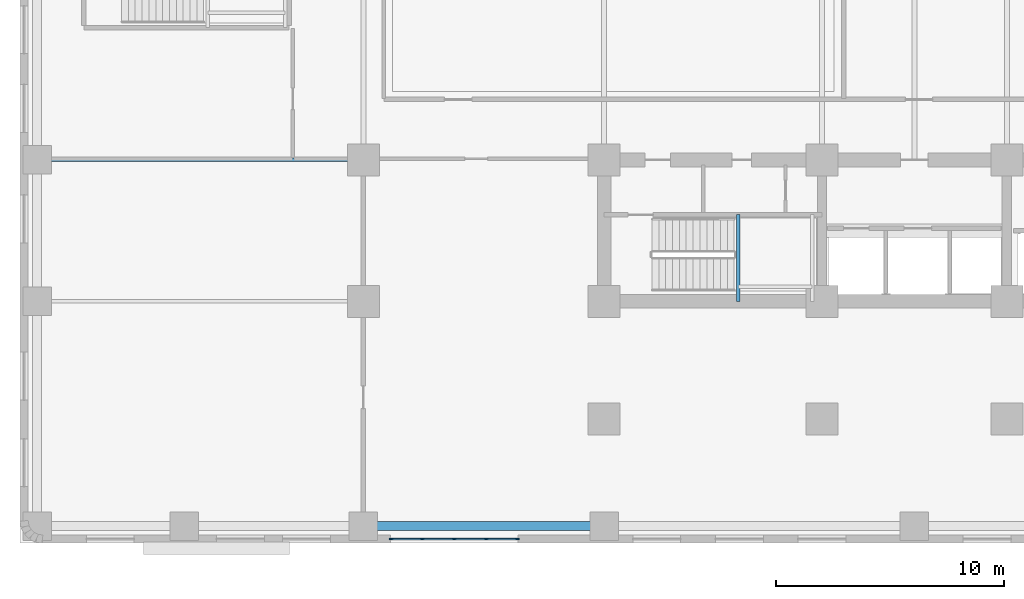
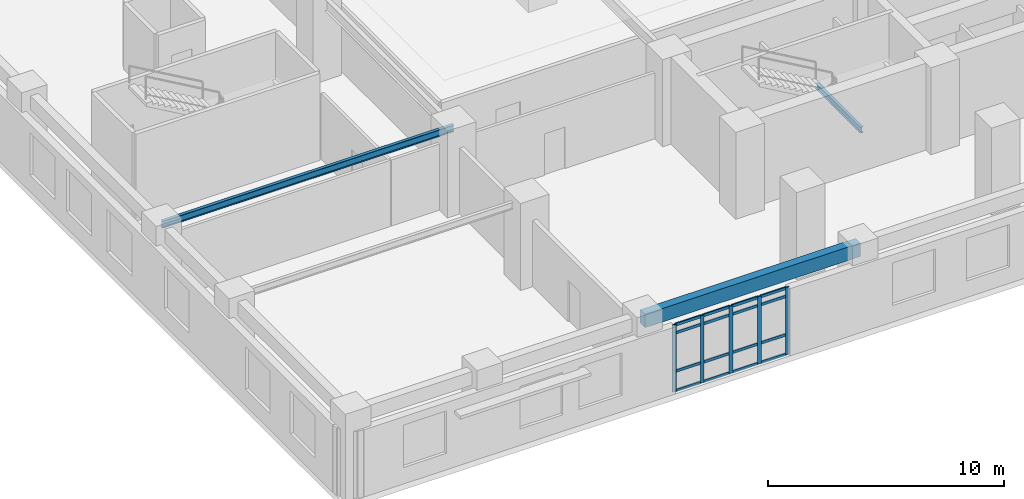
# One storey, part 2 of 15: 21 members, 3 beams, 1 element without a shape of its own.
"""IFC4 building model written with IfcOpenShell, lengths in metres."""

from ifc_helpers import new_model, si_unit, direction, frame, origin, origin_2d, place, context, subcontext, project, spatial, rectangle, i_section, extrude, material, material_profile, profile_set, type_object, element, aggregate, save


model = new_model("IFC4")

# Units and contexts
model_context = context("Model", 3, precision=1e-05, world=origin(), true_north=direction((0.0, 1.0)))
body_context = subcontext(model_context, "Body", "Model", "MODEL_VIEW")
ifc_project = project(units=[si_unit("LENGTHUNIT", "METRE"), si_unit("AREAUNIT", "SQUARE_METRE"), si_unit("VOLUMEUNIT", "CUBIC_METRE"), si_unit("PLANEANGLEUNIT", "RADIAN"), si_unit("MASSUNIT", "GRAM", prefix="KILO")], contexts=[model_context])

# Site, building, storey
site_placement = place(None, origin())
site = spatial("IfcSite", under=ifc_project, at=site_placement, CompositionType="ELEMENT")
building_placement = place(site_placement, origin())
building = spatial("IfcBuilding", under=site, at=building_placement, Name="Svetorya Sky Lyceum", CompositionType="ELEMENT")
storey_placement = place(building_placement, frame((0.0, 0.0, 6.60009765625)))
storey = spatial("IfcBuildingStorey", under=building, at=storey_placement, Name="L01", CompositionType="ELEMENT", Elevation=6.60009765625)

# Beams
ifc_material_1 = material(Name="Concrete C50/60", Category="concrete")
ifc_material_profile_1 = material_profile(ifc_material_1, rectangle(XDim=0.39990234375, YDim=0.699951171875, at=origin_2d()), Name="RC SPANDREL 400x700")
ifc_profile_set_1 = profile_set([ifc_material_profile_1], Name="Concrete C50/60")
beam_type_1 = type_object("IfcBeamType", Name="BM-SPN-700", PredefinedType="SPANDREL", material=ifc_profile_set_1)
beam_1_placement = place(storey_placement, frame((15.050048828125, 0.75, 3.849853515625), z_axis=(1.0, 0.0, 0.0), x_axis=(0.0, 1.0, 0.0)))
element("IfcBeam", 1, at=beam_1_placement, inside=storey, type_object=beam_type_1, Name="L01 Podium South Spandrel 3", PredefinedType="SPANDREL", context=body_context, shape_type="SweptSolid", body=[
    extrude(rectangle(XDim=0.39990234375, YDim=0.699951171875, at=origin_2d()), origin(), (0.0, 0.0, 1.0), 10.550048828125),
])
ifc_material_2 = material(Name="Steel S355", Category="steel")
ifc_material_profile_2 = material_profile(ifc_material_2, i_section(OverallWidth=0.14990234375, OverallDepth=0.299072265625, WebThickness=0.006591796875, FlangeThickness=0.010498046875, at=origin_2d()), Name="GOST 30B2")
ifc_profile_set_2 = profile_set([ifc_material_profile_2], Name="Steel S355")
beam_type_2 = type_object("IfcBeamType", Name="BM-STL-30B2", PredefinedType="JOIST", material=ifc_profile_set_2)
beam_2_placement = place(storey_placement, frame((31.47998046875, 10.60009765625, 1.900390625), z_axis=(0.0, 1.0, 0.0), x_axis=(-1.0, 0.0, 0.0)))
element("IfcBeam", 2, at=beam_2_placement, inside=storey, type_object=beam_type_2, Name="L01 Stair ST-S Half-Landing Support Beam 3.1", PredefinedType="JOIST", context=body_context, shape_type="SweptSolid", body=[
    extrude(i_section(OverallWidth=0.14990234375, OverallDepth=0.299072265625, WebThickness=0.006591796875, FlangeThickness=0.010498046875, at=origin_2d()), origin(), (0.0, 0.0, 1.0), 3.7998046875),
])
ifc_material_profile_3 = material_profile(ifc_material_2, i_section(OverallWidth=0.155029296875, OverallDepth=0.34912109375, WebThickness=0.007080078125, FlangeThickness=0.011474609375, at=origin_2d()), Name="GOST 35B2")
ifc_profile_set_3 = profile_set([ifc_material_profile_3], Name="Steel S355")
beam_type_3 = type_object("IfcBeamType", Name="BM-STL-35B2", PredefinedType="JOIST", material=ifc_profile_set_3)
beam_3_placement = place(storey_placement, frame((0.75, 16.800048828125, 4.025390625), z_axis=(1.0, 0.0, 0.0), x_axis=(0.0, 1.0, 0.0)))
element("IfcBeam", 3, at=beam_3_placement, inside=storey, type_object=beam_type_3, Name="L01 Podium Wing Joist W2", PredefinedType="JOIST", context=body_context, shape_type="SweptSolid", body=[
    extrude(i_section(OverallWidth=0.155029296875, OverallDepth=0.34912109375, WebThickness=0.007080078125, FlangeThickness=0.011474609375, at=origin_2d()), origin(), (0.0, 0.0, 1.0), 14.300048828125),
])

# Curtain wall, members
ifc_material_3 = material(Name="Thermally broken anodized aluminium and triple low-E glass", Category="aluminium")
curtain_wall_type = type_object("IfcCurtainWallType", Name="CW2-SCH-RIB", PredefinedType="NOTDEFINED", material=ifc_material_3)
curtain_wall_placement = place(storey_placement, origin())
curtain_wall = element("IfcCurtainWall", 4, at=curtain_wall_placement, inside=storey, type_object=curtain_wall_type, Name="L01 Lyceum Classroom Ribbon Curtain Wall 6", PredefinedType="NOTDEFINED")
ifc_material_4 = material(Name="Thermally broken anodized aluminium EN AW-6060", Category="aluminium")
ifc_material_profile_4 = material_profile(ifc_material_4, rectangle(XDim=0.06494140625, YDim=0.179931640625, at=origin_2d()), Name="ALU MULLION 65x180")
ifc_profile_set_4 = profile_set([ifc_material_profile_4], Name="Thermally broken anodized aluminium EN AW-6060")
member_type_1 = type_object("IfcMemberType", Name="CWM-MUL-180", PredefinedType="MULLION", material=ifc_profile_set_4)
member_1_placement = place(storey_placement, frame((16.262451171875, 0.179931640625, 0.0), z_axis=(0.0, 0.0, 1.0), x_axis=(0.0, 1.0, 0.0)))
member_1 = element("IfcMember", 5, at=member_1_placement, type_object=member_type_1, Name="CW-2 mullion 1", PredefinedType="MULLION", context=body_context, shape_type="SweptSolid", body=[
    extrude(rectangle(XDim=0.06494140625, YDim=0.179931640625, at=origin_2d()), origin(), (0.0, 0.0, 1.0), 3.47998046875),
])
member_2_placement = place(storey_placement, frame((17.6298828125, 0.179931640625, 0.0), z_axis=(0.0, 0.0, 1.0), x_axis=(0.0, 1.0, 0.0)))
member_2 = element("IfcMember", 6, at=member_2_placement, type_object=member_type_1, Name="CW-2 mullion 2", PredefinedType="MULLION", context=body_context, shape_type="SweptSolid", body=[
    extrude(rectangle(XDim=0.06494140625, YDim=0.179931640625, at=origin_2d()), origin(), (0.0, 0.0, 1.0), 3.47998046875),
])
member_3_placement = place(storey_placement, frame((19.030029296875, 0.179931640625, 0.0), z_axis=(0.0, 0.0, 1.0), x_axis=(0.0, 1.0, 0.0)))
member_3 = element("IfcMember", 7, at=member_3_placement, type_object=member_type_1, Name="CW-2 mullion 3", PredefinedType="MULLION", context=body_context, shape_type="SweptSolid", body=[
    extrude(rectangle(XDim=0.06494140625, YDim=0.179931640625, at=origin_2d()), origin(), (0.0, 0.0, 1.0), 3.47998046875),
])
member_4_placement = place(storey_placement, frame((20.429931640625, 0.179931640625, 0.0), z_axis=(0.0, 0.0, 1.0), x_axis=(0.0, 1.0, 0.0)))
member_4 = element("IfcMember", 8, at=member_4_placement, type_object=member_type_1, Name="CW-2 mullion 4", PredefinedType="MULLION", context=body_context, shape_type="SweptSolid", body=[
    extrude(rectangle(XDim=0.06494140625, YDim=0.179931640625, at=origin_2d()), origin(), (0.0, 0.0, 1.0), 3.47998046875),
])
member_5_placement = place(storey_placement, frame((21.797607421875, 0.179931640625, 0.0), z_axis=(0.0, 0.0, 1.0), x_axis=(0.0, 1.0, 0.0)))
member_5 = element("IfcMember", 9, at=member_5_placement, type_object=member_type_1, Name="CW-2 mullion 5", PredefinedType="MULLION", context=body_context, shape_type="SweptSolid", body=[
    extrude(rectangle(XDim=0.06494140625, YDim=0.179931640625, at=origin_2d()), origin(), (0.0, 0.0, 1.0), 3.47998046875),
])
ifc_material_profile_5 = material_profile(ifc_material_4, rectangle(XDim=0.06494140625, YDim=0.139892578125, at=origin_2d()), Name="ALU TRANSOM 65x140")
ifc_profile_set_5 = profile_set([ifc_material_profile_5], Name="Thermally broken anodized aluminium EN AW-6060")
member_type_2 = type_object("IfcMemberType", Name="CWM-TRN-140", PredefinedType="USERDEFINED", material=ifc_profile_set_5)
member_6_placement = place(storey_placement, frame((16.29345703125, 0.179931640625, 0.032470703125), z_axis=(1.0, 0.0, 0.0), x_axis=(0.0, 1.0, 0.0)))
member_6 = element("IfcMember", 10, at=member_6_placement, type_object=member_type_2, Name="CW-2 transom 1.1", ObjectType="TRANSOM", PredefinedType="USERDEFINED", context=body_context, shape_type="SweptSolid", body=[
    extrude(rectangle(XDim=0.06494140625, YDim=0.139892578125, at=origin_2d()), origin(), (0.0, 0.0, 1.0), 1.3056640625),
])
member_7_placement = place(storey_placement, frame((16.29345703125, 0.179931640625, 1.0439453125), z_axis=(1.0, 0.0, 0.0), x_axis=(0.0, 1.0, 0.0)))
member_7 = element("IfcMember", 11, at=member_7_placement, type_object=member_type_2, Name="CW-2 transom 1.2", ObjectType="TRANSOM", PredefinedType="USERDEFINED", context=body_context, shape_type="SweptSolid", body=[
    extrude(rectangle(XDim=0.06494140625, YDim=0.139892578125, at=origin_2d()), origin(), (0.0, 0.0, 1.0), 1.3056640625),
])
member_8_placement = place(storey_placement, frame((16.29345703125, 0.179931640625, 3.02978515625), z_axis=(1.0, 0.0, 0.0), x_axis=(0.0, 1.0, 0.0)))
member_8 = element("IfcMember", 12, at=member_8_placement, type_object=member_type_2, Name="CW-2 transom 1.3", ObjectType="TRANSOM", PredefinedType="USERDEFINED", context=body_context, shape_type="SweptSolid", body=[
    extrude(rectangle(XDim=0.06494140625, YDim=0.139892578125, at=origin_2d()), origin(), (0.0, 0.0, 1.0), 1.3056640625),
])
member_9_placement = place(storey_placement, frame((16.29345703125, 0.179931640625, 3.447509765625), z_axis=(1.0, 0.0, 0.0), x_axis=(0.0, 1.0, 0.0)))
member_9 = element("IfcMember", 13, at=member_9_placement, type_object=member_type_2, Name="CW-2 transom 1.4", ObjectType="TRANSOM", PredefinedType="USERDEFINED", context=body_context, shape_type="SweptSolid", body=[
    extrude(rectangle(XDim=0.06494140625, YDim=0.139892578125, at=origin_2d()), origin(), (0.0, 0.0, 1.0), 1.3056640625),
])
member_10_placement = place(storey_placement, frame((17.660888671875, 0.179931640625, 0.032470703125), z_axis=(1.0, 0.0, 0.0), x_axis=(0.0, 1.0, 0.0)))
member_10 = element("IfcMember", 14, at=member_10_placement, type_object=member_type_2, Name="CW-2 transom 2.1", ObjectType="TRANSOM", PredefinedType="USERDEFINED", context=body_context, shape_type="SweptSolid", body=[
    extrude(rectangle(XDim=0.06494140625, YDim=0.139892578125, at=origin_2d()), origin(), (0.0, 0.0, 1.0), 1.338134765625),
])
member_11_placement = place(storey_placement, frame((17.660888671875, 0.179931640625, 1.0439453125), z_axis=(1.0, 0.0, 0.0), x_axis=(0.0, 1.0, 0.0)))
member_11 = element("IfcMember", 15, at=member_11_placement, type_object=member_type_2, Name="CW-2 transom 2.2", ObjectType="TRANSOM", PredefinedType="USERDEFINED", context=body_context, shape_type="SweptSolid", body=[
    extrude(rectangle(XDim=0.06494140625, YDim=0.139892578125, at=origin_2d()), origin(), (0.0, 0.0, 1.0), 1.338134765625),
])
member_12_placement = place(storey_placement, frame((17.660888671875, 0.179931640625, 3.02978515625), z_axis=(1.0, 0.0, 0.0), x_axis=(0.0, 1.0, 0.0)))
member_12 = element("IfcMember", 16, at=member_12_placement, type_object=member_type_2, Name="CW-2 transom 2.3", ObjectType="TRANSOM", PredefinedType="USERDEFINED", context=body_context, shape_type="SweptSolid", body=[
    extrude(rectangle(XDim=0.06494140625, YDim=0.139892578125, at=origin_2d()), origin(), (0.0, 0.0, 1.0), 1.338134765625),
])
member_13_placement = place(storey_placement, frame((17.660888671875, 0.179931640625, 3.447509765625), z_axis=(1.0, 0.0, 0.0), x_axis=(0.0, 1.0, 0.0)))
member_13 = element("IfcMember", 17, at=member_13_placement, type_object=member_type_2, Name="CW-2 transom 2.4", ObjectType="TRANSOM", PredefinedType="USERDEFINED", context=body_context, shape_type="SweptSolid", body=[
    extrude(rectangle(XDim=0.06494140625, YDim=0.139892578125, at=origin_2d()), origin(), (0.0, 0.0, 1.0), 1.338134765625),
])
member_14_placement = place(storey_placement, frame((19.06103515625, 0.179931640625, 0.032470703125), z_axis=(1.0, 0.0, 0.0), x_axis=(0.0, 1.0, 0.0)))
member_14 = element("IfcMember", 18, at=member_14_placement, type_object=member_type_2, Name="CW-2 transom 3.1", ObjectType="TRANSOM", PredefinedType="USERDEFINED", context=body_context, shape_type="SweptSolid", body=[
    extrude(rectangle(XDim=0.06494140625, YDim=0.139892578125, at=origin_2d()), origin(), (0.0, 0.0, 1.0), 1.337890625),
])
member_15_placement = place(storey_placement, frame((19.06103515625, 0.179931640625, 1.0439453125), z_axis=(1.0, 0.0, 0.0), x_axis=(0.0, 1.0, 0.0)))
member_15 = element("IfcMember", 19, at=member_15_placement, type_object=member_type_2, Name="CW-2 transom 3.2", ObjectType="TRANSOM", PredefinedType="USERDEFINED", context=body_context, shape_type="SweptSolid", body=[
    extrude(rectangle(XDim=0.06494140625, YDim=0.139892578125, at=origin_2d()), origin(), (0.0, 0.0, 1.0), 1.337890625),
])
member_16_placement = place(storey_placement, frame((19.06103515625, 0.179931640625, 3.02978515625), z_axis=(1.0, 0.0, 0.0), x_axis=(0.0, 1.0, 0.0)))
member_16 = element("IfcMember", 20, at=member_16_placement, type_object=member_type_2, Name="CW-2 transom 3.3", ObjectType="TRANSOM", PredefinedType="USERDEFINED", context=body_context, shape_type="SweptSolid", body=[
    extrude(rectangle(XDim=0.06494140625, YDim=0.139892578125, at=origin_2d()), origin(), (0.0, 0.0, 1.0), 1.337890625),
])
member_17_placement = place(storey_placement, frame((19.06103515625, 0.179931640625, 3.447509765625), z_axis=(1.0, 0.0, 0.0), x_axis=(0.0, 1.0, 0.0)))
member_17 = element("IfcMember", 21, at=member_17_placement, type_object=member_type_2, Name="CW-2 transom 3.4", ObjectType="TRANSOM", PredefinedType="USERDEFINED", context=body_context, shape_type="SweptSolid", body=[
    extrude(rectangle(XDim=0.06494140625, YDim=0.139892578125, at=origin_2d()), origin(), (0.0, 0.0, 1.0), 1.337890625),
])
member_18_placement = place(storey_placement, frame((20.4609375, 0.179931640625, 0.032470703125), z_axis=(1.0, 0.0, 0.0), x_axis=(0.0, 1.0, 0.0)))
member_18 = element("IfcMember", 22, at=member_18_placement, type_object=member_type_2, Name="CW-2 transom 4.1", ObjectType="TRANSOM", PredefinedType="USERDEFINED", context=body_context, shape_type="SweptSolid", body=[
    extrude(rectangle(XDim=0.06494140625, YDim=0.139892578125, at=origin_2d()), origin(), (0.0, 0.0, 1.0), 1.3056640625),
])
member_19_placement = place(storey_placement, frame((20.4609375, 0.179931640625, 1.0439453125), z_axis=(1.0, 0.0, 0.0), x_axis=(0.0, 1.0, 0.0)))
member_19 = element("IfcMember", 23, at=member_19_placement, type_object=member_type_2, Name="CW-2 transom 4.2", ObjectType="TRANSOM", PredefinedType="USERDEFINED", context=body_context, shape_type="SweptSolid", body=[
    extrude(rectangle(XDim=0.06494140625, YDim=0.139892578125, at=origin_2d()), origin(), (0.0, 0.0, 1.0), 1.3056640625),
])
member_20_placement = place(storey_placement, frame((20.4609375, 0.179931640625, 3.02978515625), z_axis=(1.0, 0.0, 0.0), x_axis=(0.0, 1.0, 0.0)))
member_20 = element("IfcMember", 24, at=member_20_placement, type_object=member_type_2, Name="CW-2 transom 4.3", ObjectType="TRANSOM", PredefinedType="USERDEFINED", context=body_context, shape_type="SweptSolid", body=[
    extrude(rectangle(XDim=0.06494140625, YDim=0.139892578125, at=origin_2d()), origin(), (0.0, 0.0, 1.0), 1.3056640625),
])
member_21_placement = place(storey_placement, frame((20.4609375, 0.179931640625, 3.447509765625), z_axis=(1.0, 0.0, 0.0), x_axis=(0.0, 1.0, 0.0)))
member_21 = element("IfcMember", 25, at=member_21_placement, type_object=member_type_2, Name="CW-2 transom 4.4", ObjectType="TRANSOM", PredefinedType="USERDEFINED", context=body_context, shape_type="SweptSolid", body=[
    extrude(rectangle(XDim=0.06494140625, YDim=0.139892578125, at=origin_2d()), origin(), (0.0, 0.0, 1.0), 1.3056640625),
])
aggregate(curtain_wall, [member_1, member_2, member_3, member_4, member_5, member_6, member_7, member_8, member_9, member_10, member_11, member_12, member_13, member_14, member_15, member_16, member_17, member_18, member_19, member_20, member_21])

save(model, "model.ifc")
